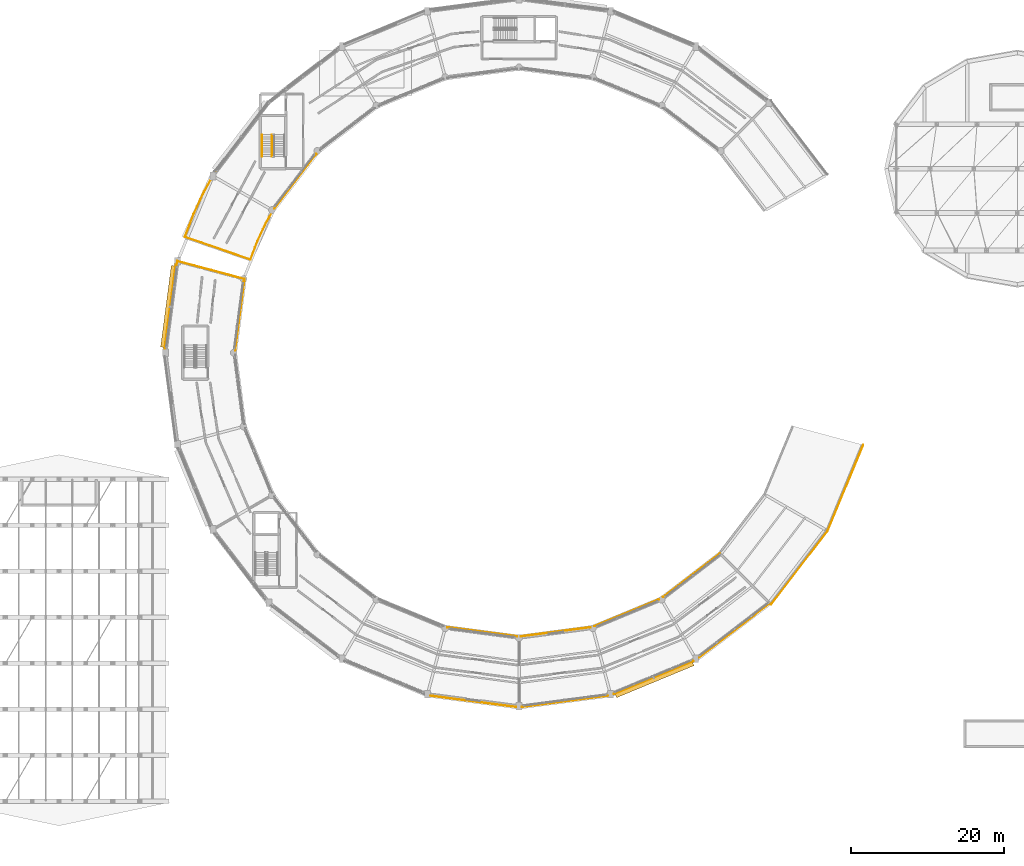
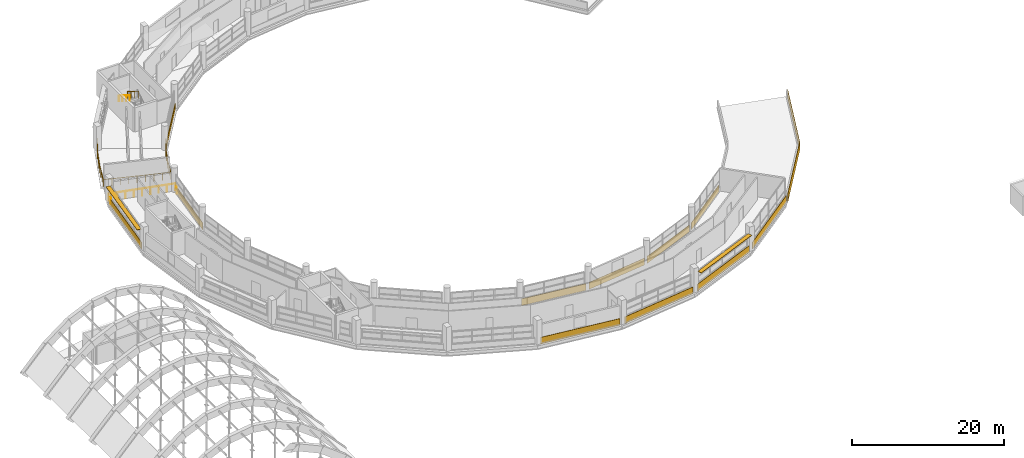
# One storey, part 84 of 88: 13 coverings, 4 railings, 2 shading devices.
"""IFC4 building model written with IfcOpenShell, lengths in metres."""

import ifcopenshell
import ifcopenshell.guid

model = None  # the IFC model being written
_history = None  # IfcOwnerHistory: only IFC2X3 demands one
_inside = {}  # id of a spatial element -> (the spatial element, [elements in it])
_under = {}  # id of a project, library or spatial element -> (it, [spatial elements below it])
_declared = {}  # id of a project -> (the project, [libraries it declares])
_typed = {}  # id of a type object -> (the type object, [elements of that type])
_made_of = {}  # id of a material, layer set ... -> (it, [elements and type objects made of it])


def new_model(schema):
    """Start an empty IFC model of exactly this schema.

    Asked for "IFC4X3", IfcOpenShell would pick the latest addendum, in which some entities
    have other attributes; the version numbers below select the first issue.
    IFC2X3 requires an IfcOwnerHistory on every rooted entity: one is made here for all.
    """
    global model, _history
    if schema == "IFC4X3":
        model = ifcopenshell.file(schema_version=(4, 3, 0, 0))
    else:
        model = ifcopenshell.file(schema=schema)
    _inside.clear()
    _under.clear()
    _declared.clear()
    _typed.clear()
    _made_of.clear()
    _history = None
    if model.schema == "IFC2X3":
        org = make("IfcOrganization", Name="unknown")
        user = make(
            "IfcPersonAndOrganization",
            ThePerson=make("IfcPerson", FamilyName="unknown"),
            TheOrganization=org,
        )
        app = make(
            "IfcApplication",
            ApplicationDeveloper=org,
            Version="unknown",
            ApplicationFullName="unknown",
            ApplicationIdentifier="unknown",
        )
        _history = make(
            "IfcOwnerHistory",
            OwningUser=user,
            OwningApplication=app,
            ChangeAction="ADDED",
            CreationDate=0,
        )
    return model


def make(cls, **values):
    """One entity of the class cls with the attributes given. An attribute that is None is left unset."""
    return model.create_entity(
        cls, **{name: value for name, value in values.items() if value is not None}
    )


def rooted(cls, **values):
    """An entity with a GlobalId (a new one), such as an element, a storey or a relation."""
    return make(cls, GlobalId=ifcopenshell.guid.new(), OwnerHistory=_history, **values)


def si_unit(unit_type, name, prefix=None):
    """IfcSIUnit, for example si_unit("LENGTHUNIT", "METRE", prefix="MILLI")."""
    return make("IfcSIUnit", UnitType=unit_type, Prefix=prefix, Name=name)


def assignment(units):
    """IfcUnitAssignment: the units of a project."""
    return None if units is None else make("IfcUnitAssignment", Units=units)


def point(xyz):
    """IfcCartesianPoint."""
    return None if xyz is None else make("IfcCartesianPoint", Coordinates=xyz)


def direction(xyz):
    """IfcDirection."""
    return None if xyz is None else make("IfcDirection", DirectionRatios=xyz)


def frame(location, z_axis=None, x_axis=None):
    """IfcAxis2Placement3D, a coordinate frame: its origin and axes. An axis left out is left unset."""
    return make(
        "IfcAxis2Placement3D",
        Location=point(location),
        Axis=direction(z_axis),
        RefDirection=direction(x_axis),
    )


def frame_2d(location, x_axis=None):
    """IfcAxis2Placement2D, a coordinate frame in the plane: its origin and x axis."""
    return make(
        "IfcAxis2Placement2D", Location=point(location), RefDirection=direction(x_axis)
    )


def origin():
    """The frame at (0, 0, 0) with its axes left unset."""
    return frame((0.0, 0.0, 0.0))


def origin_2d():
    """The frame at (0, 0) in the plane with its x axis left unset."""
    return frame_2d((0.0, 0.0))


def place(relative_to, where):
    """IfcLocalPlacement: puts the frame where relative to a parent placement (None: the world)."""
    return make(
        "IfcLocalPlacement", PlacementRelTo=relative_to, RelativePlacement=where
    )


def context(
    kind, dimensions, precision=None, world=None, true_north=None, identifier=None
):
    """IfcGeometricRepresentationContext, for example the 3D "Model" context."""
    return make(
        "IfcGeometricRepresentationContext",
        ContextIdentifier=identifier,
        ContextType=kind,
        CoordinateSpaceDimension=dimensions,
        Precision=precision,
        WorldCoordinateSystem=world,
        TrueNorth=true_north,
    )


def subcontext(parent, identifier, kind, view, scale=None):
    """IfcGeometricRepresentationSubContext, for example "Body" below "Model"."""
    return make(
        "IfcGeometricRepresentationSubContext",
        ContextIdentifier=identifier,
        ContextType=kind,
        ParentContext=parent,
        TargetScale=scale,
        TargetView=view,
    )


def project(units=None, contexts=None):
    """IfcProject with its units and contexts."""
    return rooted(
        "IfcProject",
        Name="project",
        RepresentationContexts=contexts,
        UnitsInContext=assignment(units),
    )


def spatial(cls, under=None, at=None, **own):
    """A site, building, storey or space (cls), placed at a placement, below another one or the project."""
    s = rooted(cls, ObjectPlacement=at, **own)
    if under is not None:
        _under.setdefault(under.id(), (under, []))[1].append(s)
    return s


def profile(cls, at=None, kind="AREA", **sizes):
    """A parametric profile (cls). Its sizes go by their IFC names, for example OverallWidth=200.0."""
    return make(cls, ProfileType=kind, Position=at, **sizes)


def rectangle(**sizes):
    """IfcRectangleProfileDef."""
    return profile("IfcRectangleProfileDef", **sizes)


def circle(**sizes):
    """IfcCircleProfileDef."""
    return profile("IfcCircleProfileDef", **sizes)


def extrude(swept, where, along, depth):
    """IfcExtrudedAreaSolid: the profile swept, set in the frame where, extruded along a direction by depth."""
    return make(
        "IfcExtrudedAreaSolid",
        SweptArea=swept,
        Position=where,
        ExtrudedDirection=direction(along),
        Depth=depth,
    )


def shape(context_of_items, identifier, shape_type, items):
    """IfcShapeRepresentation: the items that make up one representation, for example the "Body"."""
    return make(
        "IfcShapeRepresentation",
        ContextOfItems=context_of_items,
        RepresentationIdentifier=identifier,
        RepresentationType=shape_type,
        Items=items,
    )


def material(Name=None, Category=None):
    """IfcMaterial."""
    return make("IfcMaterial", Name=Name, Category=Category)


def layer(
    of_material, thickness, ventilated=None, Name=None, Category=None, Priority=None
):
    """IfcMaterialLayer: one layer of a wall or slab, of a material (None: an air gap)."""
    return make(
        "IfcMaterialLayer",
        Material=of_material,
        LayerThickness=thickness,
        IsVentilated=ventilated,
        Name=Name,
        Category=Category,
        Priority=Priority,
    )


def layer_set(layers, Name=None):
    """IfcMaterialLayerSet."""
    return make("IfcMaterialLayerSet", MaterialLayers=layers, LayerSetName=Name)


def made_of(thing, what):
    """Note that an element or type object is made of a material, layer set ...; save() writes the relation."""
    if what is not None:
        _made_of.setdefault(what.id(), (what, []))[1].append(thing)
    return thing


def type_object(cls, material=None, **own):
    """A type object (cls), such as IfcWallType, which elements share."""
    return made_of(rooted(cls, **own), material)


def element(
    cls,
    number,
    at=None,
    inside=None,
    cuts=None,
    type_object=None,
    material=None,
    context=None,
    identifier="Body",
    shape_type=None,
    held_by="IfcProductDefinitionShape",
    body=None,
    shapes=None,
    **own,
):
    """One element of the class cls, such as IfcWall. Its Tag is "e" and its number.

    at: its placement. inside: the storey or other place that contains it. cuts: it is an
    opening in that element (IfcRelVoidsElement). A single representation is given by context,
    identifier, shape_type and body (its items); several are given by shapes. held_by: the class
    of the entity that holds the representations. save() writes the other relations.
    """
    e = rooted(cls, Tag="e%d" % number, ObjectPlacement=at, **own)
    if body is not None:
        shapes = [shape(context, identifier, shape_type, body)]
    if shapes is not None:
        e.Representation = make(held_by, Representations=shapes)
    if inside is not None:
        _inside.setdefault(inside.id(), (inside, []))[1].append(e)
    if cuts is not None:
        rooted(
            "IfcRelVoidsElement", RelatingBuildingElement=cuts, RelatedOpeningElement=e
        )
    if type_object is not None:
        _typed.setdefault(type_object.id(), (type_object, []))[1].append(e)
    return made_of(e, material)


def aggregate(whole, parts):
    """IfcRelAggregates: a whole, such as a stair, and the parts it consists of."""
    return rooted("IfcRelAggregates", RelatingObject=whole, RelatedObjects=parts)


def save(model, path):
    """Write the relations noted so far, then the file.

    IfcRelAggregates (storeys below a building ...), IfcRelContainedInSpatialStructure (elements
    in a storey), IfcRelDefinesByType, IfcRelAssociatesMaterial and IfcRelDeclares: one each for
    every whole, place, type object, material and project.
    """
    for whole, parts in _under.values():
        aggregate(whole, parts)
    for where, things in _inside.values():
        rooted(
            "IfcRelContainedInSpatialStructure",
            RelatedElements=things,
            RelatingStructure=where,
        )
    for kind, things in _typed.values():
        rooted("IfcRelDefinesByType", RelatedObjects=things, RelatingType=kind)
    for what, things in _made_of.values():
        rooted("IfcRelAssociatesMaterial", RelatedObjects=things, RelatingMaterial=what)
    for by, libraries in _declared.values():
        rooted("IfcRelDeclares", RelatingContext=by, RelatedDefinitions=libraries)
    model.write(path)


model = new_model("IFC4")

# Units and contexts
model_context = context("Model", 3, precision=1e-05, world=origin(), true_north=direction((0.0, 1.0)))
body_context = subcontext(model_context, "Body", "Model", "MODEL_VIEW")
ifc_project = project(units=[si_unit("LENGTHUNIT", "METRE"), si_unit("AREAUNIT", "SQUARE_METRE"), si_unit("VOLUMEUNIT", "CUBIC_METRE"), si_unit("PLANEANGLEUNIT", "RADIAN"), si_unit("MASSUNIT", "GRAM", prefix="KILO")], contexts=[model_context])

# Site, building, storey
site_placement = place(None, origin())
site = spatial("IfcSite", under=ifc_project, at=site_placement, CompositionType="ELEMENT")
building_placement = place(site_placement, origin())
building = spatial("IfcBuilding", under=site, at=building_placement, Name="Vespera Passage Community Centre", CompositionType="ELEMENT")
storey_placement = place(building_placement, frame((0.0, 0.0, 16.5)))
storey = spatial("IfcBuildingStorey", under=building, at=storey_placement, Name="L04", CompositionType="ELEMENT", Elevation=16.5)

# Coverings
ifc_material_1 = material(Name="Precast concrete f'c 40 MPa", Category="concrete")
ifc_layer = layer(ifc_material_1, 0.06005859375)
ifc_layer_set = layer_set([ifc_layer], Name="Precast concrete f'c 40 MPa")
covering_type = type_object("IfcCoveringType", Name="COV-CLAD-60E", PredefinedType="CLADDING", material=ifc_layer_set)
covering_1_placement = place(storey_placement, frame((51.603515625, 91.4296875, -0.280029296875), z_axis=(0.0, 0.0, 1.0), x_axis=(-0.608765610033, -0.793350132061, 0.0)))
element("IfcCovering", 1, at=covering_1_placement, inside=storey, type_object=covering_type, Name="V4 L04 Inner Court White Spandrel Band I9", PredefinedType="CLADDING", context=body_context, shape_type="SweptSolid", body=[
    extrude(rectangle(XDim=9.004638671875, YDim=0.06005859375, at=frame_2d((4.50244140625, 0.0))), origin(), (0.0, 0.0, 1.0), 1.10009765625),
])
covering_2_placement = place(storey_placement, frame((31.794189453125, 65.997314453125, -0.280029296875), z_axis=(0.0, 0.0, 1.0), x_axis=(0.130513242145, 0.991446566197, 0.0)))
element("IfcCovering", 2, at=covering_2_placement, inside=storey, type_object=covering_type, Name="V4 L04 Outer White Spandrel Band O11", PredefinedType="CLADDING", context=body_context, shape_type="SweptSolid", body=[
    extrude(rectangle(XDim=11.075927734375, YDim=0.06005859375, at=frame_2d((5.5380859375, 0.0))), origin(), (0.0, 0.0, 1.0), 1.10009765625),
])
covering_3_placement = place(storey_placement, frame((42.18505859375, 74.832763671875, -0.280029296875), z_axis=(0.0, 0.0, 1.0), x_axis=(-0.13052003772, -0.99144567161, 0.0)))
element("IfcCovering", 3, at=covering_3_placement, inside=storey, type_object=covering_type, Name="V4 L04 Inner Court White Spandrel Band I11", PredefinedType="CLADDING", context=body_context, shape_type="SweptSolid", body=[
    extrude(rectangle(XDim=9.15625, YDim=0.06005859375, at=frame_2d((4.578125, 0.0))), origin(), (0.0, 0.0, 1.0), 1.10009765625),
])
covering_4_placement = place(storey_placement, frame((77.627685546875, 19.277587890625, -0.280029296875), z_axis=(0.0, 0.0, 1.0), x_axis=(-0.991446004399, 0.130517509785, 0.0)))
element("IfcCovering", 4, at=covering_4_placement, inside=storey, type_object=covering_type, Name="V4 L04 Outer White Sill Band O17", PredefinedType="CLADDING", context=body_context, shape_type="SweptSolid", body=[
    extrude(rectangle(XDim=11.328125, YDim=0.06005859375, at=frame_2d((5.6640625, 0.0))), origin(), (0.0, 0.0, 1.0), 1.10009765625),
])
covering_5_placement = place(storey_placement, frame((68.667236328125, 29.68505859375, -0.280029296875), z_axis=(0.0, 0.0, 1.0), x_axis=(0.99144567161, -0.13052003772, 0.0)))
element("IfcCovering", 5, at=covering_5_placement, inside=storey, type_object=covering_type, Name="V4 L04 Inner Court White Spandrel Band I17", PredefinedType="CLADDING", context=body_context, shape_type="SweptSolid", body=[
    extrude(rectangle(XDim=9.15625, YDim=0.06005859375, at=frame_2d((4.578125, 0.0))), origin(), (0.0, 0.0, 1.0), 1.10009765625),
])
covering_6_placement = place(storey_placement, frame((89.603515625, 20.756103515625, -0.280029296875), z_axis=(0.0, 0.0, 1.0), x_axis=(-0.991446004399, -0.130517509785, 0.0)))
element("IfcCovering", 6, at=covering_6_placement, inside=storey, type_object=covering_type, Name="V4 L04 Outer White Spandrel Band O18", PredefinedType="CLADDING", context=body_context, shape_type="SweptSolid", body=[
    extrude(rectangle(XDim=11.328125, YDim=0.06005859375, at=frame_2d((5.6640625, 0.0))), origin(), (0.0, 0.0, 1.0), 1.10009765625),
])
covering_7_placement = place(storey_placement, frame((78.2548828125, 28.489990234375, -0.280029296875), z_axis=(0.0, 0.0, 1.0), x_axis=(0.99144567161, 0.13052003772, 0.0)))
element("IfcCovering", 7, at=covering_7_placement, inside=storey, type_object=covering_type, Name="V4 L04 Court White Sill Band I18", PredefinedType="CLADDING", context=body_context, shape_type="SweptSolid", body=[
    extrude(rectangle(XDim=9.15625, YDim=0.06005859375, at=frame_2d((4.578125, 0.0))), origin(), (0.0, 0.0, 1.0), 1.10009765625),
])
covering_8_placement = place(storey_placement, frame((100.76318359375, 25.273193359375, -0.280029296875), z_axis=(0.0, 0.0, 1.0), x_axis=(-0.923883530636, -0.382673779896, 0.0)))
element("IfcCovering", 8, at=covering_8_placement, inside=storey, type_object=covering_type, Name="V4 L04 Outer White Spandrel Band O19", PredefinedType="CLADDING", context=body_context, shape_type="SweptSolid", body=[
    extrude(rectangle(XDim=11.2724609375, YDim=0.06005859375, at=frame_2d((5.63623046875, 0.0))), origin(), (0.0, 0.0, 1.0), 1.10009765625),
])
covering_9_placement = place(storey_placement, frame((87.845703125, 29.825439453125, -0.280029296875), z_axis=(0.0, 0.0, 1.0), x_axis=(0.92387477551, 0.38269491658, 0.0)))
element("IfcCovering", 9, at=covering_9_placement, inside=storey, type_object=covering_type, Name="V4 L04 Inner Court White Spandrel Band I19", PredefinedType="CLADDING", context=body_context, shape_type="SweptSolid", body=[
    extrude(rectangle(XDim=9.11181640625, YDim=0.06005859375, at=frame_2d((4.555908203125, 0.0))), origin(), (0.0, 0.0, 1.0), 1.10009765625),
])
covering_10_placement = place(storey_placement, frame((110.701171875, 32.767578125, -0.280029296875), z_axis=(0.0, 0.0, 1.0), x_axis=(-0.793347191248, -0.608769442514, 0.0)))
element("IfcCovering", 10, at=covering_10_placement, inside=storey, type_object=covering_type, Name="V4 L04 Outer White Spandrel Band O20", PredefinedType="CLADDING", context=body_context, shape_type="SweptSolid", body=[
    extrude(rectangle(XDim=11.5869140625, YDim=0.06005859375, at=frame_2d((5.79345703125, 0.0))), origin(), (0.0, 0.0, 1.0), 1.10009765625),
])
covering_11_placement = place(storey_placement, frame((96.785888671875, 33.621826171875, -0.280029296875), z_axis=(0.0, 0.0, 1.0), x_axis=(0.793348884571, 0.608767235772, 0.0)))
element("IfcCovering", 11, at=covering_11_placement, inside=storey, type_object=covering_type, Name="V4 L04 Inner Court White Spandrel Band I20", PredefinedType="CLADDING", context=body_context, shape_type="SweptSolid", body=[
    extrude(rectangle(XDim=9.35791015625, YDim=0.06005859375, at=frame_2d((4.678955078125, 0.0))), origin(), (0.0, 0.0, 1.0), 1.10009765625),
])
for number, where, z_axis, x_axis, name in (
    (12, (110.87744140625, 32.646484375, -0.239990234375), (0.0, 0.0, 1.0), (0.608767399899, 0.79334875863, 0.0), "V4 L04 Step Crown White Band 2.1"),
    (13, (118.260498046875, 42.275390625, -0.239990234375), (0.0, 0.0, 1.0), (0.382683249912, 0.923879608086, 0.0), "V4 L04 Step Crown White Band 2.2"),
):
    element("IfcCovering", number, at=place(storey_placement, frame(where, z_axis=z_axis, x_axis=x_axis)), inside=storey, type_object=covering_type, Name=name, PredefinedType="CLADDING", context=body_context, shape_type="SweptSolid", body=[
        extrude(rectangle(XDim=12.099853515625, YDim=0.06005859375, at=frame_2d((6.0498046875, 0.0))), origin(), (0.0, 0.0, 1.0), 1.360107421875),
    ])

# Railings
ifc_material_2 = material(Name="Steel ASTM A500 Grade C", Category="steel")
railing_type_1 = type_object("IfcRailingType", Name="RL-EXT-1100E", PredefinedType="GUARDRAIL", material=ifc_material_2)
railing_1_placement = place(storey_placement, frame((38.46728515625, 89.253662109375, 0.0)))
element("IfcRailing", 14, at=railing_1_placement, inside=storey, type_object=railing_type_1, Name="V4 L04 Daylight Slot North-West Guard", PredefinedType="GUARDRAIL", context=body_context, shape_type="SweptSolid", body=[
    extrude(circle(Radius=0.02392578125, at=origin_2d()), frame((0.0, 0.0, 1.09619140625), z_axis=(-0.485012957514, -0.874506964549, 0.0), x_axis=(0.874506964549, -0.485012957514, 0.0)), (0.0, 0.0, 1.0), 3.1923828125),
    extrude(circle(Radius=0.02392578125, at=origin_2d()), frame((-1.54833984375, -2.791748046875, 1.09619140625), z_axis=(-0.423379435966, -0.905952456369, 0.0), x_axis=(0.905952456369, -0.423379435966, 0.0)), (0.0, 0.0, 1.0), 3.1923828125),
    extrude(circle(Radius=0.02392578125, at=origin_2d()), frame((-2.89990234375, -5.683837890625, 1.09619140625), z_axis=(-0.359757937822, -0.933045672073, 0.0), x_axis=(0.933045672073, -0.359757937822, 0.0)), (0.0, 0.0, 1.0), 3.192138671875),
    extrude(circle(Radius=0.02392578125, at=origin_2d()), frame((-4.04833984375, -8.662353515625, 1.09619140625), z_axis=(0.944949142345, -0.327217234235, 0.0), x_axis=(0.327217234235, 0.944949142345, 0.0)), (0.0, 0.0, 1.0), 9.039794921875),
    extrude(circle(Radius=0.02392578125, at=origin_2d()), frame((4.493896484375, -11.620361328125, 1.09619140625), z_axis=(0.359750226931, 0.933048645153, 0.0), x_axis=(-0.933048645153, 0.359750226931, 0.0)), (0.0, 0.0, 1.0), 2.566650390625),
    extrude(circle(Radius=0.02392578125, at=origin_2d()), frame((5.417236328125, -9.2255859375, 1.09619140625), z_axis=(0.423390521264, 0.905947275786, 0.0), x_axis=(-0.905947275786, 0.423390521264, 0.0)), (0.0, 0.0, 1.0), 2.566650390625),
    extrude(circle(Radius=0.02392578125, at=origin_2d()), frame((6.50390625, -6.900390625, 1.09619140625), z_axis=(0.485117882525, 0.874448763539, 0.0), x_axis=(-0.874448763539, 0.485117882525, 0.0)), (0.0, 0.0, 1.0), 2.566650390625),
    extrude(circle(Radius=0.02099609375, at=origin_2d()), origin(), (0.0, 0.0, 1.0), 1.072021484375),
    extrude(circle(Radius=0.02099609375, at=origin_2d()), frame((-0.51611328125, -0.9306640625, 0.0)), (0.0, 0.0, 1.0), 1.072021484375),
    extrude(circle(Radius=0.02099609375, at=origin_2d()), frame((-1.0322265625, -1.861083984375, 0.0)), (0.0, 0.0, 1.0), 1.072021484375),
    extrude(circle(Radius=0.02099609375, at=origin_2d()), frame((-1.54833984375, -2.791748046875, 0.0)), (0.0, 0.0, 1.0), 1.072021484375),
    extrude(circle(Radius=0.02099609375, at=origin_2d()), frame((-1.998779296875, -3.755859375, 0.0)), (0.0, 0.0, 1.0), 1.072021484375),
    extrude(circle(Radius=0.02099609375, at=origin_2d()), frame((-2.449462890625, -4.7197265625, 0.0)), (0.0, 0.0, 1.0), 1.072021484375),
    extrude(circle(Radius=0.02099609375, at=origin_2d()), frame((-2.89990234375, -5.683837890625, 0.0)), (0.0, 0.0, 1.0), 1.072021484375),
    extrude(circle(Radius=0.02099609375, at=origin_2d()), frame((-3.28271484375, -6.6767578125, 0.0)), (0.0, 0.0, 1.0), 1.072021484375),
    extrude(circle(Radius=0.02099609375, at=origin_2d()), frame((-3.66552734375, -7.66943359375, 0.0)), (0.0, 0.0, 1.0), 1.072021484375),
    extrude(circle(Radius=0.02099609375, at=origin_2d()), frame((-4.04833984375, -8.662353515625, 0.0)), (0.0, 0.0, 1.0), 1.072021484375),
    extrude(circle(Radius=0.02099609375, at=origin_2d()), frame((-2.98046875, -9.0322265625, 0.0)), (0.0, 0.0, 1.0), 1.072021484375),
    extrude(circle(Radius=0.02099609375, at=origin_2d()), frame((-1.912841796875, -9.40185546875, 0.0)), (0.0, 0.0, 1.0), 1.072021484375),
    extrude(circle(Radius=0.02099609375, at=origin_2d()), frame((-0.844970703125, -9.771484375, 0.0)), (0.0, 0.0, 1.0), 1.072021484375),
    extrude(circle(Radius=0.02099609375, at=origin_2d()), frame((0.22265625, -10.141357421875, 0.0)), (0.0, 0.0, 1.0), 1.072021484375),
    extrude(circle(Radius=0.02099609375, at=origin_2d()), frame((1.29052734375, -10.51123046875, 0.0)), (0.0, 0.0, 1.0), 1.072021484375),
    extrude(circle(Radius=0.02099609375, at=origin_2d()), frame((2.3583984375, -10.880859375, 0.0)), (0.0, 0.0, 1.0), 1.072021484375),
    extrude(circle(Radius=0.02099609375, at=origin_2d()), frame((3.426025390625, -11.25048828125, 0.0)), (0.0, 0.0, 1.0), 1.072021484375),
    extrude(circle(Radius=0.02099609375, at=origin_2d()), frame((4.493896484375, -11.620361328125, 0.0)), (0.0, 0.0, 1.0), 1.072021484375),
    extrude(circle(Radius=0.02099609375, at=origin_2d()), frame((4.8017578125, -10.822021484375, 0.0)), (0.0, 0.0, 1.0), 1.072021484375),
    extrude(circle(Radius=0.02099609375, at=origin_2d()), frame((5.109375, -10.02392578125, 0.0)), (0.0, 0.0, 1.0), 1.072021484375),
    extrude(circle(Radius=0.02099609375, at=origin_2d()), frame((5.417236328125, -9.2255859375, 0.0)), (0.0, 0.0, 1.0), 1.072021484375),
    extrude(circle(Radius=0.02099609375, at=origin_2d()), frame((5.779541015625, -8.450439453125, 0.0)), (0.0, 0.0, 1.0), 1.072021484375),
    extrude(circle(Radius=0.02099609375, at=origin_2d()), frame((6.1416015625, -7.675537109375, 0.0)), (0.0, 0.0, 1.0), 1.072021484375),
    extrude(circle(Radius=0.02099609375, at=origin_2d()), frame((6.50390625, -6.900390625, 0.0)), (0.0, 0.0, 1.0), 1.072021484375),
    extrude(circle(Radius=0.02099609375, at=origin_2d()), frame((6.9189453125, -6.15234375, 0.0)), (0.0, 0.0, 1.0), 1.072021484375),
    extrude(circle(Radius=0.02099609375, at=origin_2d()), frame((7.333984375, -5.404052734375, 0.0)), (0.0, 0.0, 1.0), 1.072021484375),
    extrude(circle(Radius=0.02099609375, at=origin_2d()), frame((7.7490234375, -4.656005859375, 0.0)), (0.0, 0.0, 1.0), 1.072021484375),
])
railing_2_placement = place(storey_placement, frame((33.211181640625, 76.501220703125, 0.0)))
element("IfcRailing", 15, at=railing_2_placement, inside=storey, type_object=railing_type_1, Name="V4 L04 Daylight Slot South-West Guard", PredefinedType="GUARDRAIL", context=body_context, shape_type="SweptSolid", body=[
    extrude(circle(Radius=0.02392578125, at=origin_2d()), frame((0.0, 0.0, 1.09619140625), z_axis=(0.248715882688, 0.968576486241, 0.0), x_axis=(-0.968576486241, 0.248715882688, 0.0)), (0.0, 0.0, 1.0), 0.9658203125),
    extrude(circle(Radius=0.02392578125, at=origin_2d()), frame((0.240234375, 0.935546875, 1.09619140625), z_axis=(0.965924062542, -0.258825627405, 0.0), x_axis=(0.258825627405, 0.965924062542, 0.0)), (0.0, 0.0, 1.0), 9.040283203125),
    extrude(circle(Radius=0.02392578125, at=origin_2d()), frame((8.972412109375, -1.404296875, 1.09619140625), z_axis=(-0.248965219555, -0.96851242607, 0.0), x_axis=(0.96851242607, -0.248965219555, 0.0)), (0.0, 0.0, 1.0), 0.776611328125),
    extrude(circle(Radius=0.02099609375, at=origin_2d()), origin(), (0.0, 0.0, 1.0), 1.072021484375),
    extrude(circle(Radius=0.02099609375, at=origin_2d()), frame((0.240234375, 0.935546875, 0.0)), (0.0, 0.0, 1.0), 1.072021484375),
    extrude(circle(Radius=0.02099609375, at=origin_2d()), frame((1.331787109375, 0.64306640625, 0.0)), (0.0, 0.0, 1.0), 1.072021484375),
    extrude(circle(Radius=0.02099609375, at=origin_2d()), frame((2.42333984375, 0.3505859375, 0.0)), (0.0, 0.0, 1.0), 1.072021484375),
    extrude(circle(Radius=0.02099609375, at=origin_2d()), frame((3.514892578125, 0.05810546875, 0.0)), (0.0, 0.0, 1.0), 1.072021484375),
    extrude(circle(Radius=0.02099609375, at=origin_2d()), frame((4.6064453125, -0.234375, 0.0)), (0.0, 0.0, 1.0), 1.072021484375),
    extrude(circle(Radius=0.02099609375, at=origin_2d()), frame((5.69775390625, -0.52685546875, 0.0)), (0.0, 0.0, 1.0), 1.072021484375),
    extrude(circle(Radius=0.02099609375, at=origin_2d()), frame((6.789306640625, -0.8193359375, 0.0)), (0.0, 0.0, 1.0), 1.072021484375),
    extrude(circle(Radius=0.02099609375, at=origin_2d()), frame((7.880859375, -1.11181640625, 0.0)), (0.0, 0.0, 1.0), 1.072021484375),
    extrude(circle(Radius=0.02099609375, at=origin_2d()), frame((8.972412109375, -1.404296875, 0.0)), (0.0, 0.0, 1.0), 1.072021484375),
    extrude(circle(Radius=0.02099609375, at=origin_2d()), frame((8.779052734375, -2.156494140625, 0.0)), (0.0, 0.0, 1.0), 1.072021484375),
])
ifc_material_3 = material(Name="Steel ASTM A500 Grade C", Category="steel")
railing_type_2 = type_object("IfcRailingType", Name="RL-HAND-900I", PredefinedType="HANDRAIL", material=ifc_material_3)
railing_3_placement = place(storey_placement, frame((44.48291015625, 93.927978515625, 2.127197265625)))
element("IfcRailing", 16, at=railing_3_placement, inside=storey, type_object=railing_type_2, Name="L04 ST03 stair handrail 2", PredefinedType="HANDRAIL", context=body_context, shape_type="SweptSolid", body=[
    extrude(circle(Radius=0.02392578125, at=origin_2d()), frame((0.0, 0.0, 0.8759765625), z_axis=(0.0, -0.849148672731, 0.528153890072), x_axis=(1.0, 0.0, 0.0)), (0.0, 0.0, 1.0), 3.3564453125),
    extrude(circle(Radius=0.02099609375, at=origin_2d()), origin(), (0.0, 0.0, 1.0), 0.851806640625),
    extrude(circle(Radius=0.02099609375, at=origin_2d()), frame((0.0, -0.949951171875, 0.5908203125)), (0.0, 0.0, 1.0), 0.851806640625),
    extrude(circle(Radius=0.02099609375, at=origin_2d()), frame((0.0, -1.900146484375, 1.181884765625)), (0.0, 0.0, 1.0), 0.851806640625),
    extrude(circle(Radius=0.02099609375, at=origin_2d()), frame((0.0, -2.85009765625, 1.772705078125)), (0.0, 0.0, 1.0), 0.851806640625),
])
ifc_material_4 = material(Name="Steel ASTM A500 Grade C", Category="steel")
railing_type_3 = type_object("IfcRailingType", Name="RL-STAIR-1100I", PredefinedType="GUARDRAIL", material=ifc_material_4)
railing_4_placement = place(storey_placement, frame((45.782958984375, 93.927978515625, 2.127197265625)))
element("IfcRailing", 17, at=railing_4_placement, inside=storey, type_object=railing_type_3, Name="L04 ST03 stair guard 3", PredefinedType="GUARDRAIL", context=body_context, shape_type="SweptSolid", body=[
    extrude(circle(Radius=0.02392578125, at=origin_2d()), frame((0.0, 0.0, 1.09619140625), z_axis=(0.0, -0.849148672731, 0.528153890072), x_axis=(1.0, 0.0, 0.0)), (0.0, 0.0, 1.0), 3.3564453125),
    extrude(circle(Radius=0.02099609375, at=origin_2d()), origin(), (0.0, 0.0, 1.0), 1.072021484375),
    extrude(circle(Radius=0.02099609375, at=origin_2d()), frame((0.0, -0.949951171875, 0.5908203125)), (0.0, 0.0, 1.0), 1.072021484375),
    extrude(circle(Radius=0.02099609375, at=origin_2d()), frame((0.0, -1.900146484375, 1.181884765625)), (0.0, 0.0, 1.0), 1.072021484375),
    extrude(circle(Radius=0.02099609375, at=origin_2d()), frame((0.0, -2.85009765625, 1.772705078125)), (0.0, 0.0, 1.0), 1.072021484375),
])

# Shading devices
ifc_material_5 = material(Name="Anodized aluminium 6063-T6", Category="aluminium")
shading_device_type = type_object("IfcShadingDeviceType", Name="SHD-EYEBROW", PredefinedType="JALOUSIE", material=ifc_material_5)
shading_device_1_placement = place(storey_placement, frame((32.249267578125, 71.523193359375, 2.74560546875), z_axis=(0.0, 0.0, 1.0), x_axis=(0.130508888223, 0.991447139335, 0.0)))
element("IfcShadingDevice", 18, at=shading_device_1_placement, inside=storey, type_object=shading_device_type, Name="V4 L04 Outer Solar Eyebrow 11", PredefinedType="JALOUSIE", context=body_context, shape_type="SweptSolid", body=[
    extrude(rectangle(XDim=10.725830078125, YDim=0.60009765625, at=origin_2d()), origin(), (0.0, 0.0, 1.0), 0.080078125),
])
shading_device_2_placement = place(storey_placement, frame((95.6591796875, 22.866943359375, 2.74560546875), z_axis=(0.0, 0.0, 1.0), x_axis=(-0.923879532511, -0.382683432365, 0.0)))
element("IfcShadingDevice", 19, at=shading_device_2_placement, inside=storey, type_object=shading_device_type, Name="V4 L04 Outer Solar Eyebrow 19", PredefinedType="JALOUSIE", context=body_context, shape_type="SweptSolid", body=[
    extrude(rectangle(XDim=10.922607421875, YDim=0.60009765625, at=origin_2d()), origin(), (0.0, 0.0, 1.0), 0.080078125),
])

save(model, "model.ifc")
